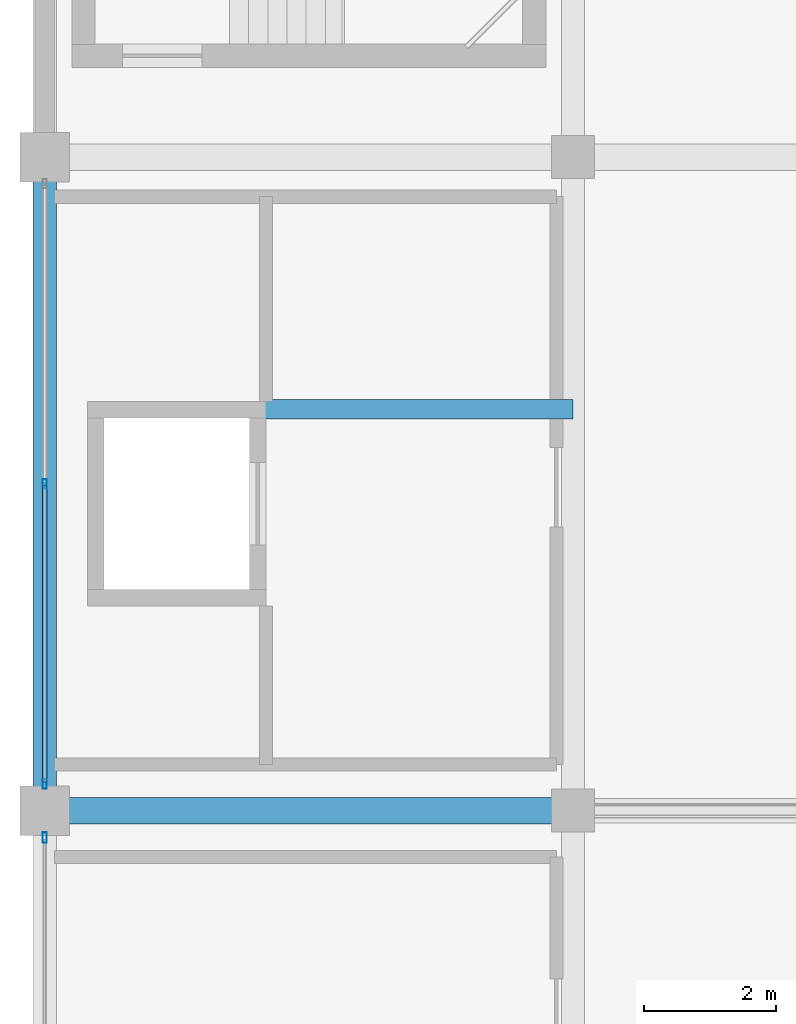
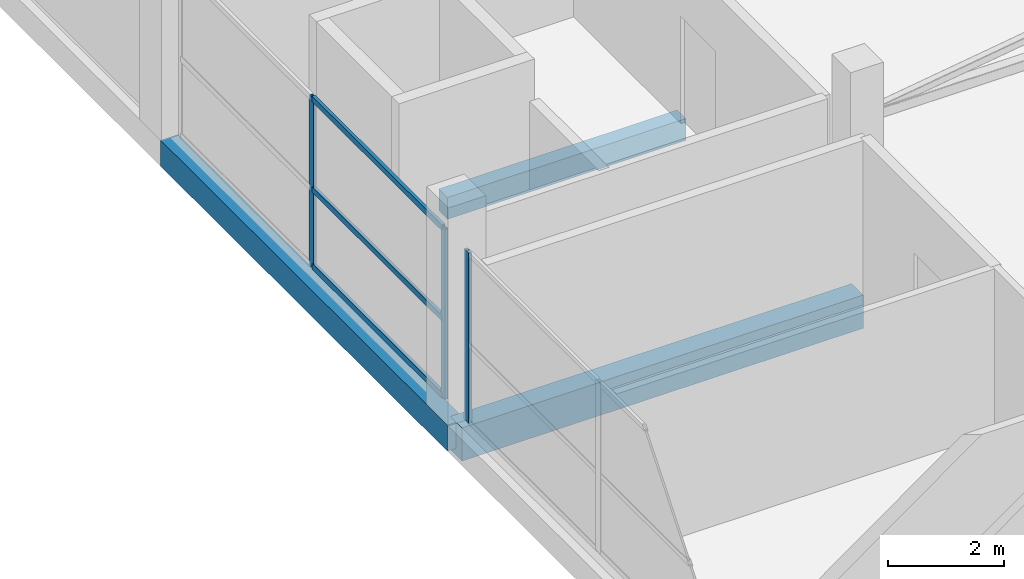
# One storey, part 25 of 69: 6 members, 3 beams, 2 elements without a shape of their own.
"""IFC4 building model written with IfcOpenShell, lengths in metres."""

from ifc_helpers import new_model, si_unit, direction, frame, origin, origin_2d, place, context, subcontext, project, spatial, rectangle, hollow_rectangle, extrude, material, layer, layer_set, material_profile, profile_set, type_object, element, aggregate, save


model = new_model("IFC4")

# Units and contexts
model_context = context("Model", 3, precision=1e-05, world=origin(), true_north=direction((0.0, 1.0)))
body_context = subcontext(model_context, "Body", "Model", "MODEL_VIEW")
ifc_project = project(units=[si_unit("LENGTHUNIT", "METRE"), si_unit("AREAUNIT", "SQUARE_METRE"), si_unit("VOLUMEUNIT", "CUBIC_METRE"), si_unit("PLANEANGLEUNIT", "RADIAN"), si_unit("MASSUNIT", "GRAM", prefix="KILO")], contexts=[model_context])

# Site, building, storey
site_placement = place(None, origin())
site = spatial("IfcSite", under=ifc_project, at=site_placement, CompositionType="ELEMENT")
building_placement = place(site_placement, origin())
building = spatial("IfcBuilding", under=site, at=building_placement, Name="Sillaruma Civic Art Gallery", CompositionType="ELEMENT")
storey_placement = place(building_placement, frame((0.0, 0.0, 42.330078125)))
storey = spatial("IfcBuildingStorey", under=building, at=storey_placement, Name="L08", CompositionType="ELEMENT", Elevation=42.330078125)

# Beams
ifc_material_1 = material(Name="Concrete H35 (35 MPa)", Category="concrete")
ifc_material_profile_1 = material_profile(ifc_material_1, rectangle(XDim=0.39990234375, YDim=0.699951171875, at=origin_2d()), Name="RCB400x700")
ifc_profile_set_1 = profile_set([ifc_material_profile_1], Name="Concrete H35 (35 MPa)")
beam_type_1 = type_object("IfcBeamType", Name="BM-BEAM-RCB400x700", PredefinedType="BEAM", material=ifc_profile_set_1)
beam_1_placement = place(storey_placement, frame((62.0, 69.300048828125, -0.630126953125), z_axis=(1.0, 0.0, 0.0), x_axis=(0.0, 1.0, 0.0)))
element("IfcBeam", 1, at=beam_1_placement, inside=storey, type_object=beam_type_1, Name="Beam BM-04 (L07:8:F-G)", PredefinedType="BEAM", context=body_context, shape_type="SweptSolid", body=[
    extrude(rectangle(XDim=0.39990234375, YDim=0.699951171875, at=origin_2d()), origin(), (0.0, 0.0, 1.0), 8.0),
])
ifc_material_profile_2 = material_profile(ifc_material_1, rectangle(XDim=0.300048828125, YDim=0.4599609375, at=origin_2d()), Name="RCB300x460")
ifc_profile_set_2 = profile_set([ifc_material_profile_2], Name="Concrete H35 (35 MPa)")
beam_type_2 = type_object("IfcBeamType", Name="BM-LINTEL-RCB300x460", PredefinedType="LINTEL", material=ifc_profile_set_2)
beam_2_placement = place(storey_placement, frame((65.25, 75.3798828125, -0.510009765625), z_axis=(1.0, 0.0, 0.0), x_axis=(0.0, 1.0, 0.0)))
element("IfcBeam", 2, at=beam_2_placement, inside=storey, type_object=beam_type_2, Name="Core Portal Coupling Lintel BL-01 (L07:FFL)", PredefinedType="LINTEL", context=body_context, shape_type="SweptSolid", body=[
    extrude(rectangle(XDim=0.300048828125, YDim=0.4599609375, at=origin_2d()), origin(), (0.0, 0.0, 1.0), 4.75),
])
ifc_material_profile_3 = material_profile(ifc_material_1, rectangle(XDim=0.35009765625, YDim=0.550048828125, at=origin_2d()), Name="RCB350x550")
ifc_profile_set_3 = profile_set([ifc_material_profile_3], Name="Concrete H35 (35 MPa)")
beam_type_3 = type_object("IfcBeamType", Name="BM-SPANDREL-RCB350x550", PredefinedType="SPANDREL", material=ifc_profile_set_3)
beam_3_placement = place(storey_placement, frame((62.0, 69.300048828125, -0.55517578125), z_axis=(0.0, 1.0, 0.0), x_axis=(-1.0, 0.0, 0.0)))
element("IfcBeam", 3, at=beam_3_placement, inside=storey, type_object=beam_type_3, Name="Beam BS-04 (L07:F:8-9)", PredefinedType="SPANDREL", context=body_context, shape_type="SweptSolid", body=[
    extrude(rectangle(XDim=0.35009765625, YDim=0.550048828125, at=origin_2d()), origin(), (0.0, 0.0, 1.0), 9.89990234375),
])

# Curtain wall, members
ifc_material_2 = material(Name="Thermally Broken Extruded Aluminium 6063-T6", Category="aluminium")
ifc_layer_1 = layer(ifc_material_2, 0.139892578125, Name="Thermally Broken Extruded Aluminium 6063-T6")
ifc_layer_set_1 = layer_set([ifc_layer_1], Name="Thermally Broken Extruded Aluminium 6063-T6")
curtain_wall_type_1 = type_object("IfcCurtainWallType", Name="CW-UNI-40", PredefinedType="NOTDEFINED", material=ifc_layer_set_1)
curtain_wall_1_placement = place(storey_placement, origin())
curtain_wall_1 = element("IfcCurtainWall", 4, at=curtain_wall_1_placement, inside=storey, type_object=curtain_wall_type_1, Name="Unitised Curtain Wall CW-40 (CW-L08-WBW-6)", PredefinedType="NOTDEFINED")
ifc_material_profile_4 = material_profile(ifc_material_2, hollow_rectangle(XDim=0.06005859375, YDim=0.139892578125, WallThickness=0.00341796875, at=origin_2d()), Name="CWM60x140")
ifc_profile_set_4 = profile_set([ifc_material_profile_4], Name="Thermally Broken Extruded Aluminium 6063-T6")
member_type_1 = type_object("IfcMemberType", Name="MEM-MUL-CWM60x140", PredefinedType="MULLION", material=ifc_profile_set_4)
member_1_placement = place(storey_placement, frame((62.0, 69.705078125, 0.0), z_axis=(0.0, 0.0, 1.0), x_axis=(-1.0, 0.0, 0.0)))
member_1 = element("IfcMember", 5, at=member_1_placement, type_object=member_type_1, Name="CW-40 mullion 1", PredefinedType="MULLION", context=body_context, shape_type="SweptSolid", body=[
    extrude(hollow_rectangle(XDim=0.06005859375, YDim=0.139892578125, WallThickness=0.00341796875, at=origin_2d()), origin(), (0.0, 0.0, 1.0), 3.58984375),
])
member_2_placement = place(storey_placement, frame((62.0, 74.25, 0.0), z_axis=(0.0, 0.0, 1.0), x_axis=(-1.0, 0.0, 0.0)))
member_2 = element("IfcMember", 6, at=member_2_placement, type_object=member_type_1, Name="CW-40 mullion 2", PredefinedType="MULLION", context=body_context, shape_type="SweptSolid", body=[
    extrude(hollow_rectangle(XDim=0.06005859375, YDim=0.139892578125, WallThickness=0.00341796875, at=origin_2d()), origin(), (0.0, 0.0, 1.0), 3.58984375),
])

# Curtain wall, member
ifc_layer_2 = layer(ifc_material_2, 0.159912109375, Name="Thermally Broken Extruded Aluminium 6063-T6")
ifc_layer_set_2 = layer_set([ifc_layer_2], Name="Thermally Broken Extruded Aluminium 6063-T6")
curtain_wall_type_2 = type_object("IfcCurtainWallType", Name="CW-UNI-29", PredefinedType="NOTDEFINED", material=ifc_layer_set_2)
curtain_wall_2_placement = place(storey_placement, origin())
curtain_wall_2 = element("IfcCurtainWall", 7, at=curtain_wall_2_placement, inside=storey, type_object=curtain_wall_type_2, Name="Unitised Curtain Wall CW-29 (CW-L08-WBW-5)", PredefinedType="NOTDEFINED")
ifc_material_profile_5 = material_profile(ifc_material_2, hollow_rectangle(XDim=0.06494140625, YDim=0.159912109375, WallThickness=0.00390625, at=origin_2d()), Name="CWM65x160")
ifc_profile_set_5 = profile_set([ifc_material_profile_5], Name="Thermally Broken Extruded Aluminium 6063-T6")
member_type_2 = type_object("IfcMemberType", Name="MEM-MUL-CWM65x160", PredefinedType="MULLION", material=ifc_profile_set_5)
member_3_placement = place(storey_placement, frame((62.0, 68.892578125, 0.0), z_axis=(0.0, 0.0, 1.0), x_axis=(-1.0, 0.0, 0.0)))
member_3 = element("IfcMember", 8, at=member_3_placement, type_object=member_type_2, Name="CW-29 mullion 3", PredefinedType="MULLION", context=body_context, shape_type="SweptSolid", body=[
    extrude(hollow_rectangle(XDim=0.06494140625, YDim=0.159912109375, WallThickness=0.00390625, at=origin_2d()), origin(), (0.0, 0.0, 1.0), 3.58984375),
])
aggregate(curtain_wall_2, [member_3])

# Member
ifc_material_profile_6 = material_profile(ifc_material_2, hollow_rectangle(XDim=0.06494140625, YDim=0.1201171875, WallThickness=0.00341796875, at=origin_2d()), Name="CWT65x120")
ifc_profile_set_6 = profile_set([ifc_material_profile_6], Name="Thermally Broken Extruded Aluminium 6063-T6")
member_type_3 = type_object("IfcMemberType", Name="MEM-TRN-CWT65x120", PredefinedType="USERDEFINED", material=ifc_profile_set_6)
member_4_placement = place(storey_placement, frame((62.0, 69.735107421875, 0.032470703125), z_axis=(0.0, 1.0, 0.0), x_axis=(-1.0, 0.0, 0.0)))
member_4 = element("IfcMember", 9, at=member_4_placement, type_object=member_type_3, Name="CW-40 transom 1.1", ObjectType="TRANSOM", PredefinedType="USERDEFINED", context=body_context, shape_type="SweptSolid", body=[
    extrude(hollow_rectangle(XDim=0.06494140625, YDim=0.1201171875, WallThickness=0.00341796875, at=origin_2d()), origin(), (0.0, 0.0, 1.0), 4.48486328125),
])

member_5_placement = place(storey_placement, frame((62.0, 69.735107421875, 1.6513671875), z_axis=(0.0, 1.0, 0.0), x_axis=(-1.0, 0.0, 0.0)))
member_5 = element("IfcMember", 10, at=member_5_placement, type_object=member_type_3, Name="CW-40 transom 1.2", ObjectType="TRANSOM", PredefinedType="USERDEFINED", context=body_context, shape_type="SweptSolid", body=[
    extrude(hollow_rectangle(XDim=0.06494140625, YDim=0.1201171875, WallThickness=0.00341796875, at=origin_2d()), origin(), (0.0, 0.0, 1.0), 4.48486328125),
])

member_6_placement = place(storey_placement, frame((62.0, 69.735107421875, 3.557373046875), z_axis=(0.0, 1.0, 0.0), x_axis=(-1.0, 0.0, 0.0)))
member_6 = element("IfcMember", 11, at=member_6_placement, type_object=member_type_3, Name="CW-40 transom 1.3", ObjectType="TRANSOM", PredefinedType="USERDEFINED", context=body_context, shape_type="SweptSolid", body=[
    extrude(hollow_rectangle(XDim=0.06494140625, YDim=0.1201171875, WallThickness=0.00341796875, at=origin_2d()), origin(), (0.0, 0.0, 1.0), 4.48486328125),
])

aggregate(curtain_wall_1, [member_1, member_2, member_4, member_5, member_6])

save(model, "model.ifc")
